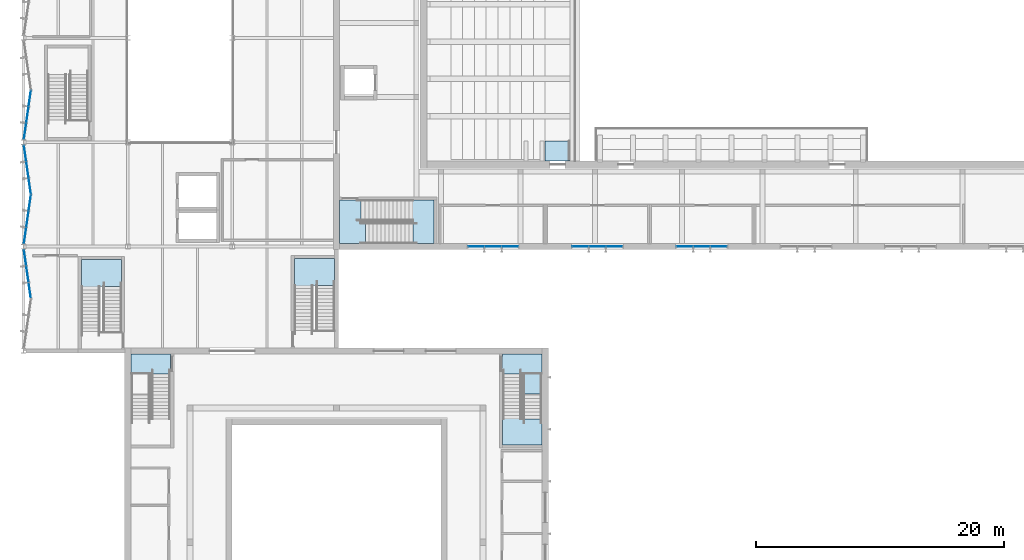
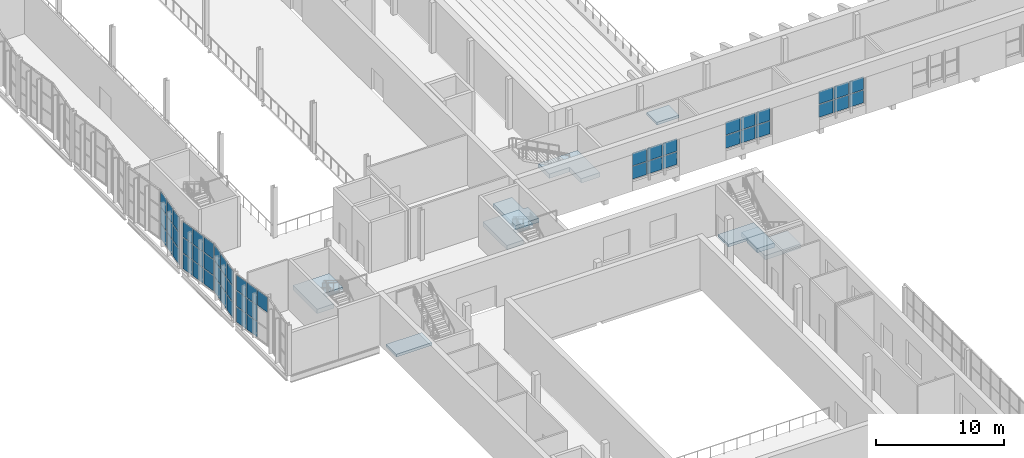
# One storey, part 55 of 127: 52 plates, 9 slabs, 11 elements without a shape of their own.
"""IFC4 building model written with IfcOpenShell, lengths in metres."""

from ifc_helpers import new_model, si_unit, direction, frame, origin, origin_2d, place, context, subcontext, project, spatial, polyline, rectangle, outline, extrude, material, layer, layer_set, type_object, element, aggregate, save


model = new_model("IFC4")

# Units and contexts
model_context = context("Model", 3, precision=1e-05, world=origin(), true_north=direction((0.0, 1.0)))
body_context = subcontext(model_context, "Body", "Model", "MODEL_VIEW")
ifc_project = project(units=[si_unit("LENGTHUNIT", "METRE"), si_unit("AREAUNIT", "SQUARE_METRE"), si_unit("VOLUMEUNIT", "CUBIC_METRE"), si_unit("PLANEANGLEUNIT", "RADIAN"), si_unit("MASSUNIT", "GRAM", prefix="KILO")], contexts=[model_context])

# Site, building, storey
site_placement = place(None, origin())
site = spatial("IfcSite", under=ifc_project, at=site_placement, CompositionType="ELEMENT")
building_placement = place(site_placement, origin())
building = spatial("IfcBuilding", under=site, at=building_placement, Name="Ljudholm Concert House", CompositionType="ELEMENT")
storey_placement = place(building_placement, frame((0.0, 0.0, 5.39990234375)))
storey = spatial("IfcBuildingStorey", under=building, at=storey_placement, Name="L01", CompositionType="ELEMENT", Elevation=5.39990234375)

# Curtain wall, plates
ifc_material_1 = material(Name="Aluminium curtain wall with impact-rated laminated glass", Category="aluminium")
curtain_wall_type = type_object("IfcCurtainWallType", Name="CURTAIN WALL 1400", PredefinedType="NOTDEFINED", material=ifc_material_1)
curtain_wall_1_placement = place(storey_placement, origin())
curtain_wall_1 = element("IfcCurtainWall", 1, at=curtain_wall_1_placement, inside=storey, type_object=curtain_wall_type, Name="Promenade curtain wall", PredefinedType="NOTDEFINED")
ifc_material_2 = material(Name="Impact-rated laminated glass", Category="glass")
ifc_layer_1 = layer(ifc_material_2, 0.028076171875)
ifc_layer_set_1 = layer_set([ifc_layer_1], Name="Impact-rated laminated glass")
plate_type = type_object("IfcPlateType", Name="CURTAIN PANEL 28", PredefinedType="CURTAIN_PANEL", material=ifc_layer_set_1)
plate_1_placement = place(storey_placement, frame((40.43505859375, 54.39990234375, 0.960205078125), z_axis=(0.0, 0.0, 1.0), x_axis=(1.0, 0.0, 0.0)))
plate_1 = element("IfcPlate", 2, at=plate_1_placement, type_object=plate_type, Name="Curtain wall panel", PredefinedType="CURTAIN_PANEL", context=body_context, shape_type="SweptSolid", body=[
    extrude(rectangle(XDim=1.2900390625, YDim=0.028076171875, at=origin_2d()), origin(), (0.0, 0.0, 1.0), 1.2099609375),
])
plate_2_placement = place(storey_placement, frame((40.43505859375, 54.39990234375, 2.230224609375), z_axis=(0.0, 0.0, 1.0), x_axis=(1.0, 0.0, 0.0)))
plate_2 = element("IfcPlate", 3, at=plate_2_placement, type_object=plate_type, Name="Curtain wall panel", PredefinedType="CURTAIN_PANEL", context=body_context, shape_type="SweptSolid", body=[
    extrude(rectangle(XDim=1.2900390625, YDim=0.028076171875, at=origin_2d()), origin(), (0.0, 0.0, 1.0), 1.2099609375),
])
plate_3_placement = place(storey_placement, frame((41.800048828125, 54.39990234375, 0.960205078125), z_axis=(0.0, 0.0, 1.0), x_axis=(1.0, 0.0, 0.0)))
plate_3 = element("IfcPlate", 4, at=plate_3_placement, type_object=plate_type, Name="Curtain wall panel", PredefinedType="CURTAIN_PANEL", context=body_context, shape_type="SweptSolid", body=[
    extrude(rectangle(XDim=1.320068359375, YDim=0.028076171875, at=origin_2d()), origin(), (0.0, 0.0, 1.0), 1.2099609375),
])
plate_4_placement = place(storey_placement, frame((41.800048828125, 54.39990234375, 2.230224609375), z_axis=(0.0, 0.0, 1.0), x_axis=(1.0, 0.0, 0.0)))
plate_4 = element("IfcPlate", 5, at=plate_4_placement, type_object=plate_type, Name="Curtain wall panel", PredefinedType="CURTAIN_PANEL", context=body_context, shape_type="SweptSolid", body=[
    extrude(rectangle(XDim=1.320068359375, YDim=0.028076171875, at=origin_2d()), origin(), (0.0, 0.0, 1.0), 1.2099609375),
])
plate_5_placement = place(storey_placement, frame((43.1650390625, 54.39990234375, 0.960205078125), z_axis=(0.0, 0.0, 1.0), x_axis=(1.0, 0.0, 0.0)))
plate_5 = element("IfcPlate", 6, at=plate_5_placement, type_object=plate_type, Name="Curtain wall panel", PredefinedType="CURTAIN_PANEL", context=body_context, shape_type="SweptSolid", body=[
    extrude(rectangle(XDim=1.2900390625, YDim=0.028076171875, at=origin_2d()), origin(), (0.0, 0.0, 1.0), 1.2099609375),
])
plate_6_placement = place(storey_placement, frame((43.1650390625, 54.39990234375, 2.230224609375), z_axis=(0.0, 0.0, 1.0), x_axis=(1.0, 0.0, 0.0)))
plate_6 = element("IfcPlate", 7, at=plate_6_placement, type_object=plate_type, Name="Curtain wall panel", PredefinedType="CURTAIN_PANEL", context=body_context, shape_type="SweptSolid", body=[
    extrude(rectangle(XDim=1.2900390625, YDim=0.028076171875, at=origin_2d()), origin(), (0.0, 0.0, 1.0), 1.2099609375),
])
aggregate(curtain_wall_1, [plate_1, plate_2, plate_3, plate_4, plate_5, plate_6])

curtain_wall_2_placement = place(storey_placement, origin())
curtain_wall_2 = element("IfcCurtainWall", 8, at=curtain_wall_2_placement, inside=storey, type_object=curtain_wall_type, Name="Promenade curtain wall", PredefinedType="NOTDEFINED")
plate_7_placement = place(storey_placement, frame((48.8349609375, 54.39990234375, 0.960205078125), z_axis=(0.0, 0.0, 1.0), x_axis=(1.0, 0.0, 0.0)))
plate_7 = element("IfcPlate", 9, at=plate_7_placement, type_object=plate_type, Name="Curtain wall panel", PredefinedType="CURTAIN_PANEL", context=body_context, shape_type="SweptSolid", body=[
    extrude(rectangle(XDim=1.2900390625, YDim=0.028076171875, at=origin_2d()), origin(), (0.0, 0.0, 1.0), 1.2099609375),
])
plate_8_placement = place(storey_placement, frame((48.8349609375, 54.39990234375, 2.230224609375), z_axis=(0.0, 0.0, 1.0), x_axis=(1.0, 0.0, 0.0)))
plate_8 = element("IfcPlate", 10, at=plate_8_placement, type_object=plate_type, Name="Curtain wall panel", PredefinedType="CURTAIN_PANEL", context=body_context, shape_type="SweptSolid", body=[
    extrude(rectangle(XDim=1.2900390625, YDim=0.028076171875, at=origin_2d()), origin(), (0.0, 0.0, 1.0), 1.2099609375),
])
plate_9_placement = place(storey_placement, frame((50.199951171875, 54.39990234375, 0.960205078125), z_axis=(0.0, 0.0, 1.0), x_axis=(1.0, 0.0, 0.0)))
plate_9 = element("IfcPlate", 11, at=plate_9_placement, type_object=plate_type, Name="Curtain wall panel", PredefinedType="CURTAIN_PANEL", context=body_context, shape_type="SweptSolid", body=[
    extrude(rectangle(XDim=1.320068359375, YDim=0.028076171875, at=origin_2d()), origin(), (0.0, 0.0, 1.0), 1.2099609375),
])
plate_10_placement = place(storey_placement, frame((50.199951171875, 54.39990234375, 2.230224609375), z_axis=(0.0, 0.0, 1.0), x_axis=(1.0, 0.0, 0.0)))
plate_10 = element("IfcPlate", 12, at=plate_10_placement, type_object=plate_type, Name="Curtain wall panel", PredefinedType="CURTAIN_PANEL", context=body_context, shape_type="SweptSolid", body=[
    extrude(rectangle(XDim=1.320068359375, YDim=0.028076171875, at=origin_2d()), origin(), (0.0, 0.0, 1.0), 1.2099609375),
])
plate_11_placement = place(storey_placement, frame((51.56494140625, 54.39990234375, 0.960205078125), z_axis=(0.0, 0.0, 1.0), x_axis=(1.0, 0.0, 0.0)))
plate_11 = element("IfcPlate", 13, at=plate_11_placement, type_object=plate_type, Name="Curtain wall panel", PredefinedType="CURTAIN_PANEL", context=body_context, shape_type="SweptSolid", body=[
    extrude(rectangle(XDim=1.2900390625, YDim=0.028076171875, at=origin_2d()), origin(), (0.0, 0.0, 1.0), 1.2099609375),
])
plate_12_placement = place(storey_placement, frame((51.56494140625, 54.39990234375, 2.230224609375), z_axis=(0.0, 0.0, 1.0), x_axis=(1.0, 0.0, 0.0)))
plate_12 = element("IfcPlate", 14, at=plate_12_placement, type_object=plate_type, Name="Curtain wall panel", PredefinedType="CURTAIN_PANEL", context=body_context, shape_type="SweptSolid", body=[
    extrude(rectangle(XDim=1.2900390625, YDim=0.028076171875, at=origin_2d()), origin(), (0.0, 0.0, 1.0), 1.2099609375),
])
aggregate(curtain_wall_2, [plate_7, plate_8, plate_9, plate_10, plate_11, plate_12])

curtain_wall_3_placement = place(storey_placement, origin())
curtain_wall_3 = element("IfcCurtainWall", 15, at=curtain_wall_3_placement, inside=storey, type_object=curtain_wall_type, Name="Promenade curtain wall", PredefinedType="NOTDEFINED")
plate_13_placement = place(storey_placement, frame((57.235107421875, 54.39990234375, 0.960205078125), z_axis=(0.0, 0.0, 1.0), x_axis=(1.0, 0.0, 0.0)))
plate_13 = element("IfcPlate", 16, at=plate_13_placement, type_object=plate_type, Name="Curtain wall panel", PredefinedType="CURTAIN_PANEL", context=body_context, shape_type="SweptSolid", body=[
    extrude(rectangle(XDim=1.2900390625, YDim=0.028076171875, at=origin_2d()), origin(), (0.0, 0.0, 1.0), 1.2099609375),
])
plate_14_placement = place(storey_placement, frame((57.235107421875, 54.39990234375, 2.230224609375), z_axis=(0.0, 0.0, 1.0), x_axis=(1.0, 0.0, 0.0)))
plate_14 = element("IfcPlate", 17, at=plate_14_placement, type_object=plate_type, Name="Curtain wall panel", PredefinedType="CURTAIN_PANEL", context=body_context, shape_type="SweptSolid", body=[
    extrude(rectangle(XDim=1.2900390625, YDim=0.028076171875, at=origin_2d()), origin(), (0.0, 0.0, 1.0), 1.2099609375),
])
plate_15_placement = place(storey_placement, frame((58.60009765625, 54.39990234375, 0.960205078125), z_axis=(0.0, 0.0, 1.0), x_axis=(1.0, 0.0, 0.0)))
plate_15 = element("IfcPlate", 18, at=plate_15_placement, type_object=plate_type, Name="Curtain wall panel", PredefinedType="CURTAIN_PANEL", context=body_context, shape_type="SweptSolid", body=[
    extrude(rectangle(XDim=1.320068359375, YDim=0.028076171875, at=origin_2d()), origin(), (0.0, 0.0, 1.0), 1.2099609375),
])
plate_16_placement = place(storey_placement, frame((58.60009765625, 54.39990234375, 2.230224609375), z_axis=(0.0, 0.0, 1.0), x_axis=(1.0, 0.0, 0.0)))
plate_16 = element("IfcPlate", 19, at=plate_16_placement, type_object=plate_type, Name="Curtain wall panel", PredefinedType="CURTAIN_PANEL", context=body_context, shape_type="SweptSolid", body=[
    extrude(rectangle(XDim=1.320068359375, YDim=0.028076171875, at=origin_2d()), origin(), (0.0, 0.0, 1.0), 1.2099609375),
])
plate_17_placement = place(storey_placement, frame((59.965087890625, 54.39990234375, 0.960205078125), z_axis=(0.0, 0.0, 1.0), x_axis=(1.0, 0.0, 0.0)))
plate_17 = element("IfcPlate", 20, at=plate_17_placement, type_object=plate_type, Name="Curtain wall panel", PredefinedType="CURTAIN_PANEL", context=body_context, shape_type="SweptSolid", body=[
    extrude(rectangle(XDim=1.2900390625, YDim=0.028076171875, at=origin_2d()), origin(), (0.0, 0.0, 1.0), 1.2099609375),
])
plate_18_placement = place(storey_placement, frame((59.965087890625, 54.39990234375, 2.230224609375), z_axis=(0.0, 0.0, 1.0), x_axis=(1.0, 0.0, 0.0)))
plate_18 = element("IfcPlate", 21, at=plate_18_placement, type_object=plate_type, Name="Curtain wall panel", PredefinedType="CURTAIN_PANEL", context=body_context, shape_type="SweptSolid", body=[
    extrude(rectangle(XDim=1.2900390625, YDim=0.028076171875, at=origin_2d()), origin(), (0.0, 0.0, 1.0), 1.2099609375),
])
aggregate(curtain_wall_3, [plate_13, plate_14, plate_15, plate_16, plate_17, plate_18])

curtain_wall_4_placement = place(storey_placement, origin())
curtain_wall_4 = element("IfcCurtainWall", 22, at=curtain_wall_4_placement, inside=storey, type_object=curtain_wall_type, Name="Facade curtain wall", PredefinedType="NOTDEFINED")
plate_19_placement = place(storey_placement, frame((4.503173828125, 50.878662109375, 3.1103515625), z_axis=(0.0, 0.0, 1.0), x_axis=(-0.141421356338, 0.989949493647, 0.0)))
plate_19 = element("IfcPlate", 23, at=plate_19_placement, type_object=plate_type, Name="Curtain wall panel", PredefinedType="CURTAIN_PANEL", context=body_context, shape_type="SweptSolid", body=[
    extrude(rectangle(XDim=1.2509765625, YDim=0.028076171875, at=origin_2d()), origin(), (0.0, 0.0, 1.0), 1.449951171875),
])
plate_20_placement = place(storey_placement, frame((4.315673828125, 52.191162109375, 0.06005859375), z_axis=(0.0, 0.0, 1.0), x_axis=(-0.141421356338, 0.989949493647, 0.0)))
plate_20 = element("IfcPlate", 24, at=plate_20_placement, type_object=plate_type, Name="Curtain wall panel", PredefinedType="CURTAIN_PANEL", context=body_context, shape_type="SweptSolid", body=[
    extrude(rectangle(XDim=1.28076171875, YDim=0.028076171875, at=origin_2d()), origin(), (0.0, 0.0, 1.0), 1.449951171875),
])
plate_21_placement = place(storey_placement, frame((4.315673828125, 52.191162109375, 1.570068359375), z_axis=(0.0, 0.0, 1.0), x_axis=(-0.141421356338, 0.989949493647, 0.0)))
plate_21 = element("IfcPlate", 25, at=plate_21_placement, type_object=plate_type, Name="Curtain wall panel", PredefinedType="CURTAIN_PANEL", context=body_context, shape_type="SweptSolid", body=[
    extrude(rectangle(XDim=1.28076171875, YDim=0.028076171875, at=origin_2d()), origin(), (0.0, 0.0, 1.0), 1.47998046875),
])
plate_22_placement = place(storey_placement, frame((4.315673828125, 52.191162109375, 3.1103515625), z_axis=(0.0, 0.0, 1.0), x_axis=(-0.141421356338, 0.989949493647, 0.0)))
plate_22 = element("IfcPlate", 26, at=plate_22_placement, type_object=plate_type, Name="Curtain wall panel", PredefinedType="CURTAIN_PANEL", context=body_context, shape_type="SweptSolid", body=[
    extrude(rectangle(XDim=1.28076171875, YDim=0.028076171875, at=origin_2d()), origin(), (0.0, 0.0, 1.0), 1.449951171875),
])
plate_23_placement = place(storey_placement, frame((4.1279296875, 53.503662109375, 0.06005859375), z_axis=(0.0, 0.0, 1.0), x_axis=(-0.141421356338, 0.989949493647, 0.0)))
plate_23 = element("IfcPlate", 27, at=plate_23_placement, type_object=plate_type, Name="Curtain wall panel", PredefinedType="CURTAIN_PANEL", context=body_context, shape_type="SweptSolid", body=[
    extrude(rectangle(XDim=1.2509765625, YDim=0.028076171875, at=origin_2d()), origin(), (0.0, 0.0, 1.0), 1.449951171875),
])
plate_24_placement = place(storey_placement, frame((4.1279296875, 53.503662109375, 1.570068359375), z_axis=(0.0, 0.0, 1.0), x_axis=(-0.141421356338, 0.989949493647, 0.0)))
plate_24 = element("IfcPlate", 28, at=plate_24_placement, type_object=plate_type, Name="Curtain wall panel", PredefinedType="CURTAIN_PANEL", context=body_context, shape_type="SweptSolid", body=[
    extrude(rectangle(XDim=1.2509765625, YDim=0.028076171875, at=origin_2d()), origin(), (0.0, 0.0, 1.0), 1.47998046875),
])
plate_25_placement = place(storey_placement, frame((4.1279296875, 53.503662109375, 3.1103515625), z_axis=(0.0, 0.0, 1.0), x_axis=(-0.141421356338, 0.989949493647, 0.0)))
plate_25 = element("IfcPlate", 29, at=plate_25_placement, type_object=plate_type, Name="Curtain wall panel", PredefinedType="CURTAIN_PANEL", context=body_context, shape_type="SweptSolid", body=[
    extrude(rectangle(XDim=1.2509765625, YDim=0.028076171875, at=origin_2d()), origin(), (0.0, 0.0, 1.0), 1.449951171875),
])
aggregate(curtain_wall_4, [plate_19, plate_20, plate_21, plate_22, plate_23, plate_24, plate_25])

curtain_wall_5_placement = place(storey_placement, origin())
curtain_wall_5 = element("IfcCurtainWall", 30, at=curtain_wall_5_placement, inside=storey, type_object=curtain_wall_type, Name="Facade curtain wall", PredefinedType="NOTDEFINED")
plate_26_placement = place(storey_placement, frame((4.1279296875, 55.29638671875, 0.06005859375), z_axis=(0.0, 0.0, 1.0), x_axis=(0.141421356338, 0.989949493647, 0.0)))
plate_26 = element("IfcPlate", 31, at=plate_26_placement, type_object=plate_type, Name="Curtain wall panel", PredefinedType="CURTAIN_PANEL", context=body_context, shape_type="SweptSolid", body=[
    extrude(rectangle(XDim=1.2509765625, YDim=0.028076171875, at=origin_2d()), origin(), (0.0, 0.0, 1.0), 1.449951171875),
])
plate_27_placement = place(storey_placement, frame((4.1279296875, 55.29638671875, 1.570068359375), z_axis=(0.0, 0.0, 1.0), x_axis=(0.141421356338, 0.989949493647, 0.0)))
plate_27 = element("IfcPlate", 32, at=plate_27_placement, type_object=plate_type, Name="Curtain wall panel", PredefinedType="CURTAIN_PANEL", context=body_context, shape_type="SweptSolid", body=[
    extrude(rectangle(XDim=1.2509765625, YDim=0.028076171875, at=origin_2d()), origin(), (0.0, 0.0, 1.0), 1.47998046875),
])
plate_28_placement = place(storey_placement, frame((4.1279296875, 55.29638671875, 3.1103515625), z_axis=(0.0, 0.0, 1.0), x_axis=(0.141421356338, 0.989949493647, 0.0)))
plate_28 = element("IfcPlate", 33, at=plate_28_placement, type_object=plate_type, Name="Curtain wall panel", PredefinedType="CURTAIN_PANEL", context=body_context, shape_type="SweptSolid", body=[
    extrude(rectangle(XDim=1.2509765625, YDim=0.028076171875, at=origin_2d()), origin(), (0.0, 0.0, 1.0), 1.449951171875),
])
plate_29_placement = place(storey_placement, frame((4.315673828125, 56.60888671875, 0.06005859375), z_axis=(0.0, 0.0, 1.0), x_axis=(0.141421356338, 0.989949493647, 0.0)))
plate_29 = element("IfcPlate", 34, at=plate_29_placement, type_object=plate_type, Name="Curtain wall panel", PredefinedType="CURTAIN_PANEL", context=body_context, shape_type="SweptSolid", body=[
    extrude(rectangle(XDim=1.28076171875, YDim=0.028076171875, at=origin_2d()), origin(), (0.0, 0.0, 1.0), 1.449951171875),
])
plate_30_placement = place(storey_placement, frame((4.315673828125, 56.60888671875, 1.570068359375), z_axis=(0.0, 0.0, 1.0), x_axis=(0.141421356338, 0.989949493647, 0.0)))
plate_30 = element("IfcPlate", 35, at=plate_30_placement, type_object=plate_type, Name="Curtain wall panel", PredefinedType="CURTAIN_PANEL", context=body_context, shape_type="SweptSolid", body=[
    extrude(rectangle(XDim=1.28076171875, YDim=0.028076171875, at=origin_2d()), origin(), (0.0, 0.0, 1.0), 1.47998046875),
])
plate_31_placement = place(storey_placement, frame((4.315673828125, 56.60888671875, 3.1103515625), z_axis=(0.0, 0.0, 1.0), x_axis=(0.141421356338, 0.989949493647, 0.0)))
plate_31 = element("IfcPlate", 36, at=plate_31_placement, type_object=plate_type, Name="Curtain wall panel", PredefinedType="CURTAIN_PANEL", context=body_context, shape_type="SweptSolid", body=[
    extrude(rectangle(XDim=1.28076171875, YDim=0.028076171875, at=origin_2d()), origin(), (0.0, 0.0, 1.0), 1.449951171875),
])
plate_32_placement = place(storey_placement, frame((4.503173828125, 57.92138671875, 0.06005859375), z_axis=(0.0, 0.0, 1.0), x_axis=(0.141421356338, 0.989949493647, 0.0)))
plate_32 = element("IfcPlate", 37, at=plate_32_placement, type_object=plate_type, Name="Curtain wall panel", PredefinedType="CURTAIN_PANEL", context=body_context, shape_type="SweptSolid", body=[
    extrude(rectangle(XDim=1.2509765625, YDim=0.028076171875, at=origin_2d()), origin(), (0.0, 0.0, 1.0), 1.449951171875),
])
plate_33_placement = place(storey_placement, frame((4.503173828125, 57.92138671875, 1.570068359375), z_axis=(0.0, 0.0, 1.0), x_axis=(0.141421356338, 0.989949493647, 0.0)))
plate_33 = element("IfcPlate", 38, at=plate_33_placement, type_object=plate_type, Name="Curtain wall panel", PredefinedType="CURTAIN_PANEL", context=body_context, shape_type="SweptSolid", body=[
    extrude(rectangle(XDim=1.2509765625, YDim=0.028076171875, at=origin_2d()), origin(), (0.0, 0.0, 1.0), 1.47998046875),
])
plate_34_placement = place(storey_placement, frame((4.503173828125, 57.92138671875, 3.1103515625), z_axis=(0.0, 0.0, 1.0), x_axis=(0.141421356338, 0.989949493647, 0.0)))
plate_34 = element("IfcPlate", 39, at=plate_34_placement, type_object=plate_type, Name="Curtain wall panel", PredefinedType="CURTAIN_PANEL", context=body_context, shape_type="SweptSolid", body=[
    extrude(rectangle(XDim=1.2509765625, YDim=0.028076171875, at=origin_2d()), origin(), (0.0, 0.0, 1.0), 1.449951171875),
])
aggregate(curtain_wall_5, [plate_26, plate_27, plate_28, plate_29, plate_30, plate_31, plate_32, plate_33, plate_34])

curtain_wall_6_placement = place(storey_placement, origin())
curtain_wall_6 = element("IfcCurtainWall", 40, at=curtain_wall_6_placement, inside=storey, type_object=curtain_wall_type, Name="Facade curtain wall", PredefinedType="NOTDEFINED")
plate_35_placement = place(storey_placement, frame((4.503173828125, 59.278564453125, 0.06005859375), z_axis=(0.0, 0.0, 1.0), x_axis=(-0.141421356338, 0.989949493647, 0.0)))
plate_35 = element("IfcPlate", 41, at=plate_35_placement, type_object=plate_type, Name="Curtain wall panel", PredefinedType="CURTAIN_PANEL", context=body_context, shape_type="SweptSolid", body=[
    extrude(rectangle(XDim=1.2509765625, YDim=0.028076171875, at=origin_2d()), origin(), (0.0, 0.0, 1.0), 1.449951171875),
])
plate_36_placement = place(storey_placement, frame((4.503173828125, 59.278564453125, 1.570068359375), z_axis=(0.0, 0.0, 1.0), x_axis=(-0.141421356338, 0.989949493647, 0.0)))
plate_36 = element("IfcPlate", 42, at=plate_36_placement, type_object=plate_type, Name="Curtain wall panel", PredefinedType="CURTAIN_PANEL", context=body_context, shape_type="SweptSolid", body=[
    extrude(rectangle(XDim=1.2509765625, YDim=0.028076171875, at=origin_2d()), origin(), (0.0, 0.0, 1.0), 1.47998046875),
])
plate_37_placement = place(storey_placement, frame((4.503173828125, 59.278564453125, 3.1103515625), z_axis=(0.0, 0.0, 1.0), x_axis=(-0.141421356338, 0.989949493647, 0.0)))
plate_37 = element("IfcPlate", 43, at=plate_37_placement, type_object=plate_type, Name="Curtain wall panel", PredefinedType="CURTAIN_PANEL", context=body_context, shape_type="SweptSolid", body=[
    extrude(rectangle(XDim=1.2509765625, YDim=0.028076171875, at=origin_2d()), origin(), (0.0, 0.0, 1.0), 1.449951171875),
])
plate_38_placement = place(storey_placement, frame((4.315673828125, 60.591064453125, 0.06005859375), z_axis=(0.0, 0.0, 1.0), x_axis=(-0.141421356338, 0.989949493647, 0.0)))
plate_38 = element("IfcPlate", 44, at=plate_38_placement, type_object=plate_type, Name="Curtain wall panel", PredefinedType="CURTAIN_PANEL", context=body_context, shape_type="SweptSolid", body=[
    extrude(rectangle(XDim=1.28076171875, YDim=0.028076171875, at=origin_2d()), origin(), (0.0, 0.0, 1.0), 1.449951171875),
])
plate_39_placement = place(storey_placement, frame((4.315673828125, 60.591064453125, 1.570068359375), z_axis=(0.0, 0.0, 1.0), x_axis=(-0.141421356338, 0.989949493647, 0.0)))
plate_39 = element("IfcPlate", 45, at=plate_39_placement, type_object=plate_type, Name="Curtain wall panel", PredefinedType="CURTAIN_PANEL", context=body_context, shape_type="SweptSolid", body=[
    extrude(rectangle(XDim=1.28076171875, YDim=0.028076171875, at=origin_2d()), origin(), (0.0, 0.0, 1.0), 1.47998046875),
])
plate_40_placement = place(storey_placement, frame((4.315673828125, 60.591064453125, 3.1103515625), z_axis=(0.0, 0.0, 1.0), x_axis=(-0.141421356338, 0.989949493647, 0.0)))
plate_40 = element("IfcPlate", 46, at=plate_40_placement, type_object=plate_type, Name="Curtain wall panel", PredefinedType="CURTAIN_PANEL", context=body_context, shape_type="SweptSolid", body=[
    extrude(rectangle(XDim=1.28076171875, YDim=0.028076171875, at=origin_2d()), origin(), (0.0, 0.0, 1.0), 1.449951171875),
])
plate_41_placement = place(storey_placement, frame((4.1279296875, 61.903564453125, 0.06005859375), z_axis=(0.0, 0.0, 1.0), x_axis=(-0.141421356338, 0.989949493647, 0.0)))
plate_41 = element("IfcPlate", 47, at=plate_41_placement, type_object=plate_type, Name="Curtain wall panel", PredefinedType="CURTAIN_PANEL", context=body_context, shape_type="SweptSolid", body=[
    extrude(rectangle(XDim=1.2509765625, YDim=0.028076171875, at=origin_2d()), origin(), (0.0, 0.0, 1.0), 1.449951171875),
])
plate_42_placement = place(storey_placement, frame((4.1279296875, 61.903564453125, 1.570068359375), z_axis=(0.0, 0.0, 1.0), x_axis=(-0.141421356338, 0.989949493647, 0.0)))
plate_42 = element("IfcPlate", 48, at=plate_42_placement, type_object=plate_type, Name="Curtain wall panel", PredefinedType="CURTAIN_PANEL", context=body_context, shape_type="SweptSolid", body=[
    extrude(rectangle(XDim=1.2509765625, YDim=0.028076171875, at=origin_2d()), origin(), (0.0, 0.0, 1.0), 1.47998046875),
])
plate_43_placement = place(storey_placement, frame((4.1279296875, 61.903564453125, 3.1103515625), z_axis=(0.0, 0.0, 1.0), x_axis=(-0.141421356338, 0.989949493647, 0.0)))
plate_43 = element("IfcPlate", 49, at=plate_43_placement, type_object=plate_type, Name="Curtain wall panel", PredefinedType="CURTAIN_PANEL", context=body_context, shape_type="SweptSolid", body=[
    extrude(rectangle(XDim=1.2509765625, YDim=0.028076171875, at=origin_2d()), origin(), (0.0, 0.0, 1.0), 1.449951171875),
])
aggregate(curtain_wall_6, [plate_35, plate_36, plate_37, plate_38, plate_39, plate_40, plate_41, plate_42, plate_43])

curtain_wall_7_placement = place(storey_placement, origin())
curtain_wall_7 = element("IfcCurtainWall", 50, at=curtain_wall_7_placement, inside=storey, type_object=curtain_wall_type, Name="Facade curtain wall", PredefinedType="NOTDEFINED")
plate_44_placement = place(storey_placement, frame((4.1279296875, 63.6962890625, 0.06005859375), z_axis=(0.0, 0.0, 1.0), x_axis=(0.141421356338, 0.989949493647, 0.0)))
plate_44 = element("IfcPlate", 51, at=plate_44_placement, type_object=plate_type, Name="Curtain wall panel", PredefinedType="CURTAIN_PANEL", context=body_context, shape_type="SweptSolid", body=[
    extrude(rectangle(XDim=1.2509765625, YDim=0.028076171875, at=origin_2d()), origin(), (0.0, 0.0, 1.0), 1.449951171875),
])
plate_45_placement = place(storey_placement, frame((4.1279296875, 63.6962890625, 1.570068359375), z_axis=(0.0, 0.0, 1.0), x_axis=(0.141421356338, 0.989949493647, 0.0)))
plate_45 = element("IfcPlate", 52, at=plate_45_placement, type_object=plate_type, Name="Curtain wall panel", PredefinedType="CURTAIN_PANEL", context=body_context, shape_type="SweptSolid", body=[
    extrude(rectangle(XDim=1.2509765625, YDim=0.028076171875, at=origin_2d()), origin(), (0.0, 0.0, 1.0), 1.47998046875),
])
plate_46_placement = place(storey_placement, frame((4.1279296875, 63.6962890625, 3.1103515625), z_axis=(0.0, 0.0, 1.0), x_axis=(0.141421356338, 0.989949493647, 0.0)))
plate_46 = element("IfcPlate", 53, at=plate_46_placement, type_object=plate_type, Name="Curtain wall panel", PredefinedType="CURTAIN_PANEL", context=body_context, shape_type="SweptSolid", body=[
    extrude(rectangle(XDim=1.2509765625, YDim=0.028076171875, at=origin_2d()), origin(), (0.0, 0.0, 1.0), 1.449951171875),
])
plate_47_placement = place(storey_placement, frame((4.315673828125, 65.0087890625, 0.06005859375), z_axis=(0.0, 0.0, 1.0), x_axis=(0.141421356338, 0.989949493647, 0.0)))
plate_47 = element("IfcPlate", 54, at=plate_47_placement, type_object=plate_type, Name="Curtain wall panel", PredefinedType="CURTAIN_PANEL", context=body_context, shape_type="SweptSolid", body=[
    extrude(rectangle(XDim=1.28076171875, YDim=0.028076171875, at=origin_2d()), origin(), (0.0, 0.0, 1.0), 1.449951171875),
])
plate_48_placement = place(storey_placement, frame((4.315673828125, 65.0087890625, 1.570068359375), z_axis=(0.0, 0.0, 1.0), x_axis=(0.141421356338, 0.989949493647, 0.0)))
plate_48 = element("IfcPlate", 55, at=plate_48_placement, type_object=plate_type, Name="Curtain wall panel", PredefinedType="CURTAIN_PANEL", context=body_context, shape_type="SweptSolid", body=[
    extrude(rectangle(XDim=1.28076171875, YDim=0.028076171875, at=origin_2d()), origin(), (0.0, 0.0, 1.0), 1.47998046875),
])
plate_49_placement = place(storey_placement, frame((4.315673828125, 65.0087890625, 3.1103515625), z_axis=(0.0, 0.0, 1.0), x_axis=(0.141421356338, 0.989949493647, 0.0)))
plate_49 = element("IfcPlate", 56, at=plate_49_placement, type_object=plate_type, Name="Curtain wall panel", PredefinedType="CURTAIN_PANEL", context=body_context, shape_type="SweptSolid", body=[
    extrude(rectangle(XDim=1.28076171875, YDim=0.028076171875, at=origin_2d()), origin(), (0.0, 0.0, 1.0), 1.449951171875),
])
plate_50_placement = place(storey_placement, frame((4.503173828125, 66.321533203125, 0.06005859375), z_axis=(0.0, 0.0, 1.0), x_axis=(0.141421356338, 0.989949493647, 0.0)))
plate_50 = element("IfcPlate", 57, at=plate_50_placement, type_object=plate_type, Name="Curtain wall panel", PredefinedType="CURTAIN_PANEL", context=body_context, shape_type="SweptSolid", body=[
    extrude(rectangle(XDim=1.2509765625, YDim=0.028076171875, at=origin_2d()), origin(), (0.0, 0.0, 1.0), 1.449951171875),
])
plate_51_placement = place(storey_placement, frame((4.503173828125, 66.321533203125, 1.570068359375), z_axis=(0.0, 0.0, 1.0), x_axis=(0.141421356338, 0.989949493647, 0.0)))
plate_51 = element("IfcPlate", 58, at=plate_51_placement, type_object=plate_type, Name="Curtain wall panel", PredefinedType="CURTAIN_PANEL", context=body_context, shape_type="SweptSolid", body=[
    extrude(rectangle(XDim=1.2509765625, YDim=0.028076171875, at=origin_2d()), origin(), (0.0, 0.0, 1.0), 1.47998046875),
])
plate_52_placement = place(storey_placement, frame((4.503173828125, 66.321533203125, 3.1103515625), z_axis=(0.0, 0.0, 1.0), x_axis=(0.141421356338, 0.989949493647, 0.0)))
plate_52 = element("IfcPlate", 59, at=plate_52_placement, type_object=plate_type, Name="Curtain wall panel", PredefinedType="CURTAIN_PANEL", context=body_context, shape_type="SweptSolid", body=[
    extrude(rectangle(XDim=1.2509765625, YDim=0.028076171875, at=origin_2d()), origin(), (0.0, 0.0, 1.0), 1.449951171875),
])
aggregate(curtain_wall_7, [plate_44, plate_45, plate_46, plate_47, plate_48, plate_49, plate_50, plate_51, plate_52])

# Slabs
ifc_material_3 = material(Name="Concrete 5,000 psi", Category="concrete")
ifc_layer_2 = layer(ifc_material_3, 0.25)
ifc_layer_set_2 = layer_set([ifc_layer_2], Name="Concrete 5,000 psi")
slab_type_1 = type_object("IfcSlabType", Name="RC FLOOR SLAB 250", PredefinedType="FLOOR", material=ifc_layer_set_2)
slab_1_placement = place(storey_placement, frame((0.0, 0.0, -0.25)))
element("IfcSlab", 60, at=slab_1_placement, inside=storey, type_object=slab_type_1, Name="Vomitory landing", PredefinedType="FLOOR", context=body_context, shape_type="SweptSolid", body=[
    extrude(outline(polyline([(46.0, 61.300048828125), (48.0, 61.300048828125), (48.0, 62.89990234375), (46.0, 62.89990234375), (46.0, 61.300048828125)])), origin(), (0.0, 0.0, 1.0), 0.25),
])
slab_2_placement = place(storey_placement, frame((0.0, 0.0, -0.25)))
element("IfcSlab", 61, at=slab_2_placement, inside=storey, type_object=slab_type_1, Name="Stair arrival floor EC2", PredefinedType="FLOOR", context=body_context, shape_type="SweptSolid", body=[
    extrude(outline(polyline([(12.64990234375, 44.14990234375), (15.85009765625, 44.14990234375), (15.85009765625, 45.75), (12.64990234375, 45.75), (12.64990234375, 44.14990234375)])), origin(), (0.0, 0.0, 1.0), 0.25),
])
slab_3_placement = place(storey_placement, frame((0.0, 0.0, -0.25)))
element("IfcSlab", 62, at=slab_3_placement, inside=storey, type_object=slab_type_1, Name="Stair arrival floor EC3", PredefinedType="FLOOR", context=body_context, shape_type="SweptSolid", body=[
    extrude(outline(polyline([(42.550048828125, 44.14990234375), (45.75, 44.14990234375), (45.75, 45.75), (42.550048828125, 45.75), (42.550048828125, 44.14990234375)])), origin(), (0.0, 0.0, 1.0), 0.25),
])
ifc_material_4 = material(Name="Concrete 5,000 psi", Category="concrete")
ifc_layer_3 = layer(ifc_material_4, 0.39990234375)
ifc_layer_set_3 = layer_set([ifc_layer_3], Name="Concrete 5,000 psi")
slab_type_2 = type_object("IfcSlabType", Name="RC FLOOR SLAB 400", PredefinedType="FLOOR", material=ifc_layer_set_3)
slab_4_placement = place(storey_placement, frame((0.0, 0.0, -0.39990234375)))
element("IfcSlab", 63, at=slab_4_placement, inside=storey, type_object=slab_type_2, Name="Stair arrival floor EH1", PredefinedType="FLOOR", context=body_context, shape_type="SweptSolid", body=[
    extrude(outline(polyline([(29.449951171875, 54.64990234375), (29.449951171875, 58.14990234375), (31.150390625, 58.14990234375), (31.150390625, 56.35009765625), (31.550048828125, 56.35009765625), (31.550048828125, 54.64990234375), (31.150390625, 54.64990234375), (31.14990234375, 54.64990234375), (29.449951171875, 54.64990234375)])), origin(), (0.0, 0.0, 1.0), 0.39990234375),
])

# Stair, slab
ifc_material_5 = material(Name="Concrete 5,000 psi", Category="concrete")
stair_type_1 = type_object("IfcStairType", Name="RC STAIR 1700x171x323", PredefinedType="HALF_TURN_STAIR", material=ifc_material_5)
stair_1_placement = place(storey_placement, origin())
stair_1 = element("IfcStair", 64, at=stair_1_placement, inside=storey, type_object=stair_type_1, Name="Exit stair EH1", PredefinedType="HALF_TURN_STAIR")
ifc_material_6 = material(Name="Concrete 5,000 psi", Category="concrete")
ifc_layer_4 = layer(ifc_material_6, 0.409912109375)
ifc_layer_set_4 = layer_set([ifc_layer_4], Name="Concrete 5,000 psi")
slab_type_3 = type_object("IfcSlabType", Name="RC LANDING 410", PredefinedType="LANDING", material=ifc_layer_set_4)
slab_5_placement = place(storey_placement, frame((0.0, 0.0, 1.989990234375)))
slab_5 = element("IfcSlab", 65, at=slab_5_placement, type_object=slab_type_3, Name="Stair landing", PredefinedType="LANDING", context=body_context, shape_type="SweptSolid", body=[
    extrude(outline(polyline([(33.52001953125, 58.14990234375), (33.52001953125, 56.449951171875), (35.349609375, 56.449951171875), (35.349609375, 54.64990234375), (37.050048828125, 54.64990234375), (37.050048828125, 58.14990234375), (33.52001953125, 58.14990234375)])), origin(), (0.0, 0.0, 1.0), 0.41015625),
])
aggregate(stair_1, [slab_5])

# Stair, slabs
ifc_material_7 = material(Name="Concrete 5,000 psi", Category="concrete")
stair_type_2 = type_object("IfcStairType", Name="RC STAIR 1500x171x280", PredefinedType="HALF_TURN_STAIR", material=ifc_material_7)
stair_2_placement = place(storey_placement, origin())
stair_2 = element("IfcStair", 66, at=stair_2_placement, inside=storey, type_object=stair_type_2, Name="Exit stair EC3", PredefinedType="HALF_TURN_STAIR")
slab_6_placement = place(storey_placement, frame((0.0, 0.0, 1.989990234375)))
slab_6 = element("IfcSlab", 67, at=slab_6_placement, type_object=slab_type_3, Name="Stair landing", PredefinedType="LANDING", context=body_context, shape_type="SweptSolid", body=[
    extrude(outline(polyline([(42.550048828125, 38.429931640625), (45.75, 38.429931640625), (45.75, 40.510498046875), (44.10009765625, 40.510498046875), (44.10009765625, 42.115966796875), (42.550048828125, 42.115966796875), (42.550048828125, 38.429931640625)])), origin(), (0.0, 0.0, 1.0), 0.41015625),
])
slab_7_placement = place(storey_placement, frame((0.0, 0.0, -0.409912109375)))
slab_7 = element("IfcSlab", 68, at=slab_7_placement, type_object=slab_type_3, Name="Stair landing", PredefinedType="LANDING", context=body_context, shape_type="SweptSolid", body=[
    extrude(outline(polyline([(44.199951171875, 42.5439453125), (45.75, 42.5439453125), (45.75, 44.14990234375), (44.199951171875, 44.14990234375), (44.199951171875, 42.5439453125)])), origin(), (0.0, 0.0, 1.0), 0.409912109375),
])
aggregate(stair_2, [slab_6, slab_7])

# Stair, slab
stair_3_placement = place(storey_placement, origin())
stair_3 = element("IfcStair", 69, at=stair_3_placement, inside=storey, type_object=stair_type_2, Name="Stair", PredefinedType="HALF_TURN_STAIR")
slab_8_placement = place(storey_placement, frame((0.0, 0.0, 1.989990234375)))
slab_8 = element("IfcSlab", 70, at=slab_8_placement, type_object=slab_type_3, Name="Stair landing", PredefinedType="LANDING", context=body_context, shape_type="SweptSolid", body=[
    extrude(outline(polyline([(8.64990234375, 49.583984375), (10.14990234375, 49.583984375), (10.14990234375, 51.189453125), (11.89990234375, 51.189453125), (11.89990234375, 53.35009765625), (8.64990234375, 53.35009765625), (8.64990234375, 49.583984375)])), origin(), (0.0, 0.0, 1.0), 0.41015625),
])
aggregate(stair_3, [slab_8])

stair_4_placement = place(storey_placement, origin())
stair_4 = element("IfcStair", 71, at=stair_4_placement, inside=storey, type_object=stair_type_2, Name="Stair", PredefinedType="HALF_TURN_STAIR")
slab_9_placement = place(storey_placement, frame((0.0, 0.0, 1.989990234375)))
slab_9 = element("IfcSlab", 72, at=slab_9_placement, type_object=slab_type_3, Name="Stair landing", PredefinedType="LANDING", context=body_context, shape_type="SweptSolid", body=[
    extrude(outline(polyline([(25.800048828125, 49.68408203125), (27.300048828125, 49.68408203125), (27.300048828125, 51.28955078125), (29.050048828125, 51.28955078125), (29.050048828125, 53.449951171875), (25.800048828125, 53.449951171875), (25.800048828125, 49.68408203125)])), origin(), (0.0, 0.0, 1.0), 0.41015625),
])
aggregate(stair_4, [slab_9])

save(model, "model.ifc")
